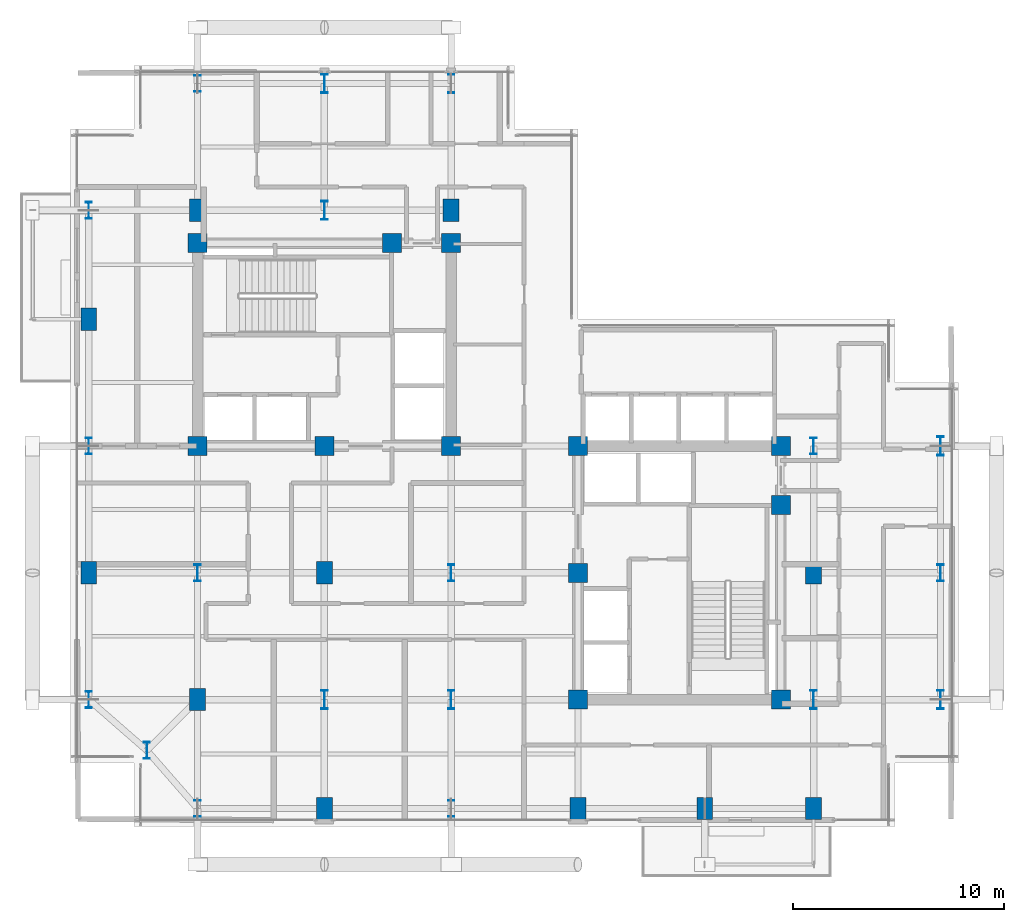
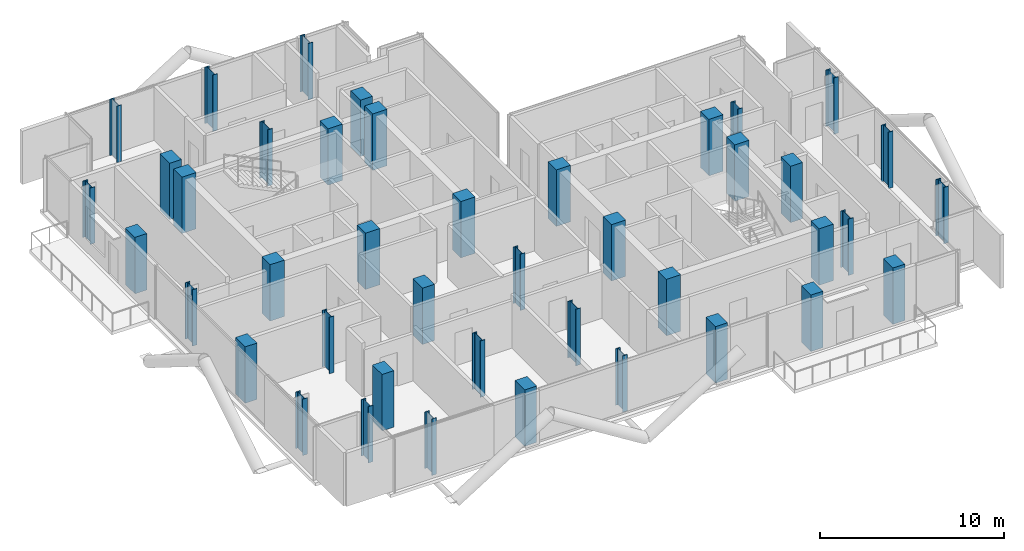
# One storey, part 1 of 26: 42 columns.
"""IFC4 building model written with IfcOpenShell, lengths in metres."""

from ifc_helpers import new_model, si_unit, direction, frame, origin, origin_2d, place, context, subcontext, project, spatial, rectangle, i_section, extrude, material, material_profile, profile_set, type_object, element, save


model = new_model("IFC4")

# Units and contexts
model_context = context("Model", 3, precision=1e-05, world=origin(), true_north=direction((0.0, 1.0)))
body_context = subcontext(model_context, "Body", "Model", "MODEL_VIEW")
ifc_project = project(units=[si_unit("LENGTHUNIT", "METRE"), si_unit("AREAUNIT", "SQUARE_METRE"), si_unit("VOLUMEUNIT", "CUBIC_METRE"), si_unit("PLANEANGLEUNIT", "RADIAN"), si_unit("MASSUNIT", "GRAM", prefix="KILO"), si_unit("THERMODYNAMICTEMPERATUREUNIT", "KELVIN"), si_unit("POWERUNIT", "WATT")], contexts=[model_context])

# Site, building, storey
site_placement = place(None, origin())
site = spatial("IfcSite", under=ifc_project, at=site_placement, CompositionType="ELEMENT")
building_placement = place(site_placement, origin())
building = spatial("IfcBuilding", under=site, at=building_placement, Name="Svarakhadi Broadcast Tower", CompositionType="ELEMENT")
storey_placement = place(building_placement, frame((0.0, 0.0, 180.449951171875)))
storey = spatial("IfcBuildingStorey", under=building, at=storey_placement, Name="L44", CompositionType="ELEMENT", Elevation=180.449951171875)

# Columns
ifc_material_1 = material(Name="Concrete C50/60 (IS 456 M60)", Category="concrete")
ifc_material_profile_1 = material_profile(ifc_material_1, rectangle(XDim=0.75, YDim=1.050048828125, at=origin_2d()), Name="RC 750x1050")
ifc_profile_set_1 = profile_set([ifc_material_profile_1], Name="Concrete C50/60 (IS 456 M60)")
column_type_1 = type_object("IfcColumnType", Name="Col_RC750", PredefinedType="COLUMN", material=ifc_profile_set_1)
for number, where, z_axis, x_axis, name in (
    (1, (0.85009765625, 12.0, 0.0), (0.0, 0.0, 1.0), (1.0, 0.0, 0.0), "L44 Column G04"),
    (2, (0.85009765625, 24.0, 0.0), (0.0, 0.0, 1.0), (1.0, 0.0, 0.0), "L44 Column G06"),
    (3, (6.0, 6.0, 0.0), (0.0, 0.0, 1.0), (1.0, 0.0, 0.0), "L44 Column G12"),
    (4, (6.0, 29.14990234375, 0.0), (0.0, 0.0, 1.0), (1.0, 0.0, 0.0), "L44 Column G14"),
    (5, (12.0, 0.85009765625, 0.0), (0.0, 0.0, 1.0), (1.0, 0.0, 0.0), "L44 Column G18"),
    (6, (12.0, 12.0, 0.0), (0.0, 0.0, 1.0), (1.0, 0.0, 0.0), "L44 Column G20"),
    (7, (18.0, 29.14990234375, 0.0), (0.0, 0.0, 1.0), (1.0, 0.0, 0.0), "L44 Column G28"),
    (8, (24.0, 0.85009765625, 0.0), (0.0, 0.0, 1.0), (1.0, 0.0, 0.0), "L44 Column G32"),
    (9, (30.0, 0.85009765625, 0.0), (0.0, 0.0, 1.0), (1.0, 0.0, 0.0), "L44 Column G36"),
    (10, (35.14990234375, 0.85009765625, 0.0), (0.0, 0.0, 1.0), (1.0, 0.0, 0.0), "L44 Column G38"),
    (11, (35.14990234375, 12.0, 0.0), (0.0, 0.0, 1.0), (1.0, 0.0, 0.0), "L44 Column G40"),
):
    element("IfcColumn", number, at=place(storey_placement, frame(where, z_axis=z_axis, x_axis=x_axis)), inside=storey, type_object=column_type_1, Name=name, PredefinedType="COLUMN", context=body_context, shape_type="SweptSolid", body=[
        extrude(rectangle(XDim=0.75, YDim=1.050048828125, at=origin_2d()), origin(), (0.0, 0.0, 1.0), 3.75),
    ])
ifc_material_profile_2 = material_profile(ifc_material_1, rectangle(XDim=0.89990234375, YDim=0.89990234375, at=origin_2d()), Name="RC 900x900")
ifc_profile_set_2 = profile_set([ifc_material_profile_2], Name="Concrete C50/60 (IS 456 M60)")
column_type_2 = type_object("IfcColumnType", Name="Col_RC900", PredefinedType="COLUMN", material=ifc_profile_set_2)
for number, where, z_axis, x_axis, name in (
    (12, (6.0, 18.0, 0.0), (0.0, 0.0, 1.0), (1.0, 0.0, 0.0), "L44 Column CW1"),
    (13, (12.0, 18.0, 0.0), (0.0, 0.0, 1.0), (1.0, 0.0, 0.0), "L44 Column CW2"),
    (14, (18.0, 18.0, 0.0), (0.0, 0.0, 1.0), (1.0, 0.0, 0.0), "L44 Column CW3"),
    (15, (6.0, 27.60009765625, 0.0), (0.0, 0.0, 1.0), (1.0, 0.0, 0.0), "L44 Column CW4"),
    (16, (15.199951171875, 27.60009765625, 0.0), (0.0, 0.0, 1.0), (1.0, 0.0, 0.0), "L44 Column CW5"),
    (17, (18.0, 27.60009765625, 0.0), (0.0, 0.0, 1.0), (1.0, 0.0, 0.0), "L44 Column CW6"),
    (18, (24.0, 6.0, 0.0), (0.0, 0.0, 1.0), (1.0, 0.0, 0.0), "L44 Column CE1"),
    (19, (24.0, 12.0, 0.0), (0.0, 0.0, 1.0), (1.0, 0.0, 0.0), "L44 Column CE2"),
    (20, (24.0, 18.0, 0.0), (0.0, 0.0, 1.0), (1.0, 0.0, 0.0), "L44 Column CE3"),
    (21, (33.60009765625, 6.0, 0.0), (0.0, 0.0, 1.0), (1.0, 0.0, 0.0), "L44 Column CE4"),
    (22, (33.60009765625, 15.199951171875, 0.0), (0.0, 0.0, 1.0), (1.0, 0.0, 0.0), "L44 Column CE5"),
    (23, (33.60009765625, 18.0, 0.0), (0.0, 0.0, 1.0), (1.0, 0.0, 0.0), "L44 Column CE6"),
):
    element("IfcColumn", number, at=place(storey_placement, frame(where, z_axis=z_axis, x_axis=x_axis)), inside=storey, type_object=column_type_2, Name=name, PredefinedType="COLUMN", context=body_context, shape_type="SweptSolid", body=[
        extrude(rectangle(XDim=0.89990234375, YDim=0.89990234375, at=origin_2d()), origin(), (0.0, 0.0, 1.0), 3.75),
    ])
ifc_material_2 = material(Name="Steel S460ML (IS 2062 E450BR)", Category="steel")
ifc_material_profile_3 = material_profile(ifc_material_2, i_section(OverallWidth=0.300048828125, OverallDepth=0.800048828125, WebThickness=0.017578125, FlangeThickness=0.032958984375, FilletRadius=0.030029296875, at=origin_2d()), Name="WPB 800x300x262")
ifc_profile_set_3 = profile_set([ifc_material_profile_3], Name="Steel S460ML (IS 2062 E450BR)")
column_type_3 = type_object("IfcColumnType", Name="Col_WPB800", PredefinedType="COLUMN", material=ifc_profile_set_3)
for number, where, z_axis, x_axis, name in (
    (24, (3.60009765625, 3.60009765625, 0.0), (0.0, 0.0, 1.0), (1.0, 0.0, 0.0), "L44 Column G01"),
    (25, (0.85009765625, 6.0, 0.0), (0.0, 0.0, 1.0), (1.0, 0.0, 0.0), "L44 Column G03"),
    (26, (0.85009765625, 18.0, 0.0), (0.0, 0.0, 1.0), (1.0, 0.0, 0.0), "L44 Column G05"),
    (27, (0.85009765625, 29.14990234375, 0.0), (0.0, 0.0, 1.0), (1.0, 0.0, 0.0), "L44 Column G07"),
    (28, (6.0, 0.85009765625, 0.0), (0.0, 0.0, 1.0), (1.0, 0.0, 0.0), "L44 Column G11"),
    (29, (6.0, 12.0, 0.0), (0.0, 0.0, 1.0), (1.0, 0.0, 0.0), "L44 Column G13"),
    (30, (6.0, 35.14990234375, 0.0), (0.0, 0.0, 1.0), (1.0, 0.0, 0.0), "L44 Column G15"),
    (31, (18.0, 0.85009765625, 0.0), (0.0, 0.0, 1.0), (1.0, 0.0, 0.0), "L44 Column G25"),
    (32, (18.0, 12.0, 0.0), (0.0, 0.0, 1.0), (1.0, 0.0, 0.0), "L44 Column G27"),
    (33, (35.14990234375, 18.0, 0.0), (0.0, 0.0, 1.0), (1.0, 0.0, 0.0), "L44 Column G41"),
    (34, (41.14990234375, 12.0, 0.0), (0.0, 0.0, 1.0), (1.0, 0.0, 0.0), "L44 Column G45"),
):
    element("IfcColumn", number, at=place(storey_placement, frame(where, z_axis=z_axis, x_axis=x_axis)), inside=storey, type_object=column_type_3, Name=name, PredefinedType="COLUMN", context=body_context, shape_type="SweptSolid", body=[
        extrude(i_section(OverallWidth=0.300048828125, OverallDepth=0.800048828125, WebThickness=0.017578125, FlangeThickness=0.032958984375, FilletRadius=0.030029296875, at=origin_2d()), origin(), (0.0, 0.0, 1.0), 3.75),
    ])
ifc_material_profile_4 = material_profile(ifc_material_2, i_section(OverallWidth=0.300048828125, OverallDepth=0.89990234375, WebThickness=0.0185546875, FlangeThickness=0.034912109375, FilletRadius=0.030029296875, at=origin_2d()), Name="WPB 900x300x291")
ifc_profile_set_4 = profile_set([ifc_material_profile_4], Name="Steel S460ML (IS 2062 E450BR)")
column_type_4 = type_object("IfcColumnType", Name="Col_WPB900", PredefinedType="COLUMN", material=ifc_profile_set_4)
for number, where, z_axis, x_axis, name in (
    (35, (12.0, 6.0, 0.0), (0.0, 0.0, 1.0), (1.0, 0.0, 0.0), "L44 Column G19"),
    (36, (12.0, 29.14990234375, 0.0), (0.0, 0.0, 1.0), (1.0, 0.0, 0.0), "L44 Column G21"),
    (37, (12.0, 35.14990234375, 0.0), (0.0, 0.0, 1.0), (1.0, 0.0, 0.0), "L44 Column G22"),
    (38, (18.0, 6.0, 0.0), (0.0, 0.0, 1.0), (1.0, 0.0, 0.0), "L44 Column G26"),
    (39, (18.0, 35.14990234375, 0.0), (0.0, 0.0, 1.0), (1.0, 0.0, 0.0), "L44 Column G29"),
    (40, (35.14990234375, 6.0, 0.0), (0.0, 0.0, 1.0), (1.0, 0.0, 0.0), "L44 Column G39"),
    (41, (41.14990234375, 6.0, 0.0), (0.0, 0.0, 1.0), (1.0, 0.0, 0.0), "L44 Column G44"),
    (42, (41.14990234375, 18.0, 0.0), (0.0, 0.0, 1.0), (1.0, 0.0, 0.0), "L44 Column G46"),
):
    element("IfcColumn", number, at=place(storey_placement, frame(where, z_axis=z_axis, x_axis=x_axis)), inside=storey, type_object=column_type_4, Name=name, PredefinedType="COLUMN", context=body_context, shape_type="SweptSolid", body=[
        extrude(i_section(OverallWidth=0.300048828125, OverallDepth=0.89990234375, WebThickness=0.0185546875, FlangeThickness=0.034912109375, FilletRadius=0.030029296875, at=origin_2d()), origin(), (0.0, 0.0, 1.0), 3.75),
    ])

save(model, "model.ifc")
